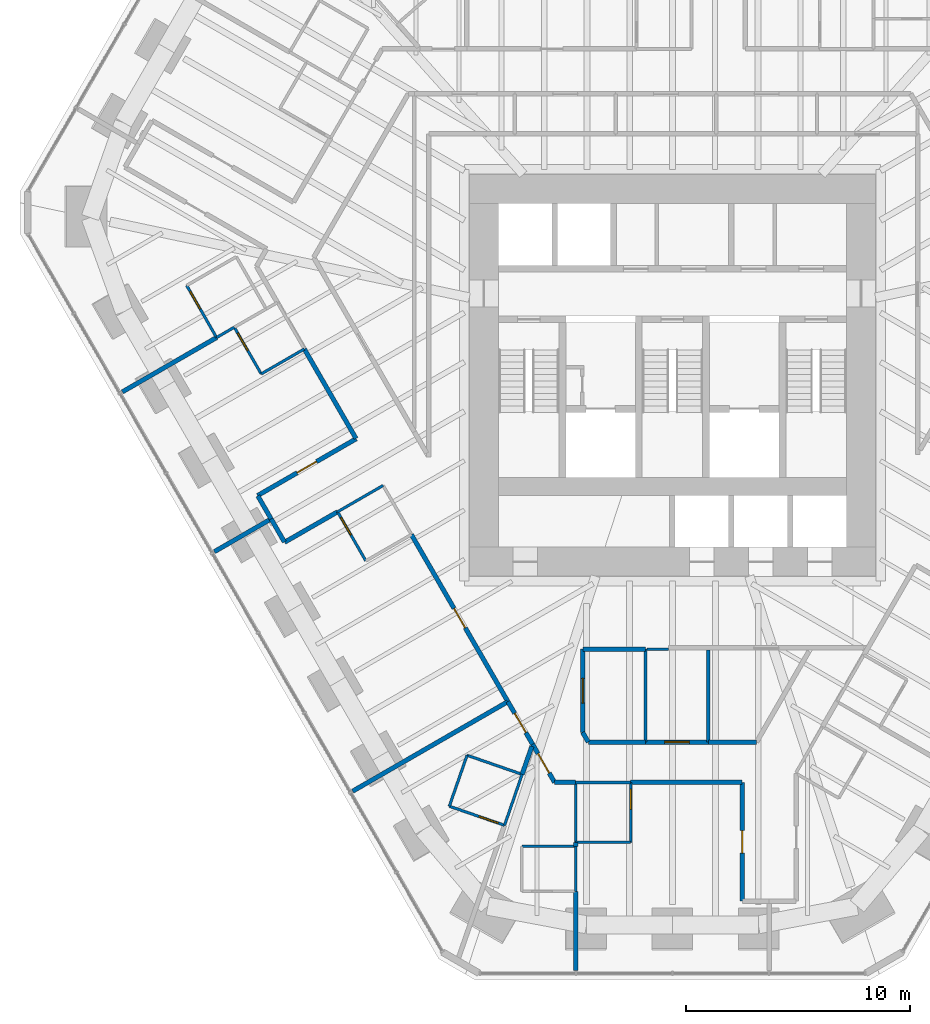
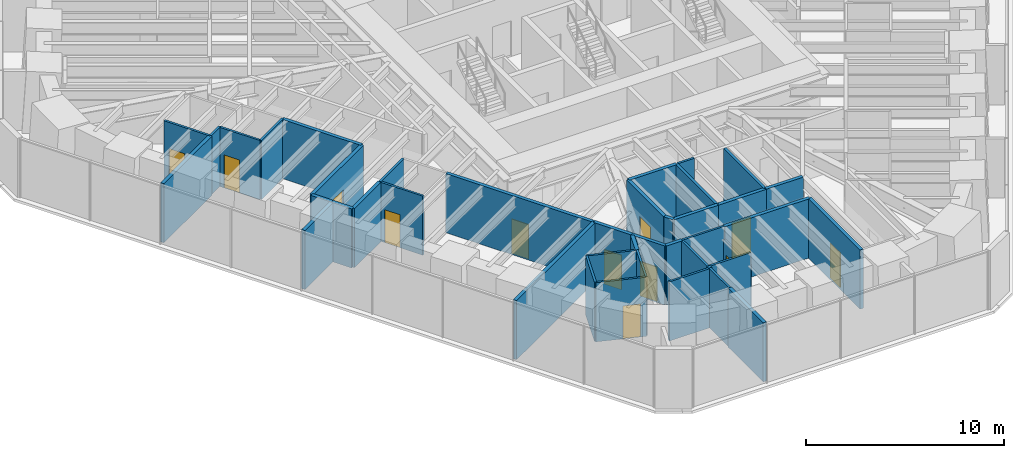
# One storey, part 11 of 17: 42 walls, 12 doors, 12 openings.
"""IFC4 building model written with IfcOpenShell, lengths in metres."""

from ifc_helpers import new_model, si_unit, direction, frame, frame_2d, origin, place, context, subcontext, project, spatial, rectangle, extrude, material, layer, layer_set, type_object, element, fill, save


model = new_model("IFC4")

# Units and contexts
model_context = context("Model", 3, precision=1e-05, world=origin(), true_north=direction((0.0, 1.0)))
body_context = subcontext(model_context, "Body", "Model", "MODEL_VIEW")
ifc_project = project(units=[si_unit("LENGTHUNIT", "METRE"), si_unit("AREAUNIT", "SQUARE_METRE"), si_unit("VOLUMEUNIT", "CUBIC_METRE"), si_unit("PLANEANGLEUNIT", "RADIAN"), si_unit("MASSUNIT", "GRAM", prefix="KILO")], contexts=[model_context])

# Site, building, storey
site_placement = place(None, origin())
site = spatial("IfcSite", under=ifc_project, at=site_placement, CompositionType="ELEMENT")
building_placement = place(site_placement, origin())
building = spatial("IfcBuilding", under=site, at=building_placement, Name="Sandreach Pilgrim Tower", CompositionType="ELEMENT")
storey_placement = place(building_placement, frame((0.0, 0.0, 161.39990234375)))
storey = spatial("IfcBuildingStorey", under=building, at=storey_placement, Name="L40", CompositionType="ELEMENT", Elevation=161.39990234375)

# Walls
ifc_material_1 = material(Name="Gypsum board on steel studs", Category="steel")
ifc_layer_1 = layer(ifc_material_1, 0.14990234375)
ifc_layer_set_1 = layer_set([ifc_layer_1], Name="Back of house wall 150")
wall_type_1 = type_object("IfcWallType", Name="Back of house wall 150", PredefinedType="PARTITIONING", material=ifc_layer_set_1)
wall_1_placement = place(storey_placement, frame((-1.199951171875, -13.75, 0.0), z_axis=(0.0, 0.0, 1.0), x_axis=(0.0, -1.0, 0.0)))
element("IfcWall", 1, at=wall_1_placement, inside=storey, type_object=wall_type_1, Name="Back of house wall L40-090", PredefinedType="PARTITIONING", context=body_context, shape_type="SweptSolid", body=[
    extrude(rectangle(XDim=4.139892578125, YDim=0.14990234375, at=frame_2d((2.06982421875, 0.0))), origin(), (0.0, 0.0, 1.0), 3.64013671875),
])
wall_2_placement = place(storey_placement, frame((1.60009765625, -13.800048828125, 0.0), z_axis=(0.0, 0.0, 1.0), x_axis=(0.0, -1.0, 0.0)))
element("IfcWall", 2, at=wall_2_placement, inside=storey, type_object=wall_type_1, Name="Back of house wall L40-097", PredefinedType="PARTITIONING", context=body_context, shape_type="SweptSolid", body=[
    extrude(rectangle(XDim=4.08984375, YDim=0.14990234375, at=frame_2d((2.044921875, 0.0))), origin(), (0.0, 0.0, 1.0), 3.64013671875),
])

# Wall, opening, door
ifc_material_2 = material(Name="Moisture-resistant gypsum board on steel studs", Category="steel")
ifc_layer_2 = layer(ifc_material_2, 0.1201171875)
ifc_layer_set_2 = layer_set([ifc_layer_2], Name="Bathroom partition 120")
wall_type_2 = type_object("IfcWallType", Name="Bathroom partition 120", PredefinedType="PARTITIONING", material=ifc_layer_set_2)
wall_3_placement = place(storey_placement, frame((-21.639892578125, 2.449951171875, 0.0), z_axis=(0.0, 0.0, 1.0), x_axis=(0.497288831399, -0.867585049529, 0.0)))
wall_3 = element("IfcWall", 3, at=wall_3_placement, inside=storey, type_object=wall_type_2, Name="Bathroom partition L40-007", PredefinedType="PARTITIONING", context=body_context, shape_type="SweptSolid", body=[
    extrude(rectangle(XDim=2.674072265625, YDim=0.1201171875, at=frame_2d((1.3369140625, 0.0))), origin(), (0.0, 0.0, 1.0), 3.64013671875),
])
opening_1_placement = place(wall_3_placement, frame((0.300048828125, 0.0, 0.0)))
opening_1 = element("IfcOpeningElement", 4, at=opening_1_placement, cuts=wall_3, Name="Opening D09-16B", PredefinedType="OPENING", context=body_context, shape_type="SweptSolid", body=[
    extrude(rectangle(XDim=0.89990234375, YDim=2.030029296875, at=frame_2d((0.449951171875, 1.01513671875))), frame((0.0, 0.06005859375, 0.0), z_axis=(0.0, -1.0, 0.0), x_axis=(1.0, 0.0, 0.0)), (0.0, 0.0, 1.0), 0.1201171875),
])
ifc_material_3 = material(Name="Timber door, steel frame", Category="steel")
door_type_1 = type_object("IfcDoorType", Name="Bathroom door", OperationType="SINGLE_SWING_LEFT", PredefinedType="DOOR", material=ifc_material_3)
door_1_placement = place(opening_1_placement, origin())
door_1 = element("IfcDoor", 5, at=door_1_placement, inside=storey, type_object=door_type_1, Name="Door 4016B", OperationType="SINGLE_SWING_LEFT", OverallHeight=2.030029296875, OverallWidth=0.89990234375, PredefinedType="DOOR", context=body_context, shape_type="SweptSolid", body=[
    extrude(rectangle(XDim=0.89990234375, YDim=2.030029296875, at=frame_2d((0.449951171875, 1.01513671875))), frame((0.0, 0.02490234375, 0.0), z_axis=(0.0, -1.0, 0.0), x_axis=(1.0, 0.0, 0.0)), (0.0, 0.0, 1.0), 0.050048828125),
])
fill(opening_1, door_1)

# Wall
wall_4_placement = place(storey_placement, frame((-20.31005859375, 0.1298828125, 0.0), z_axis=(0.0, 0.0, 1.0), x_axis=(0.864088651014, 0.503339649926, 0.0)))
element("IfcWall", 6, at=wall_4_placement, inside=storey, type_object=wall_type_2, Name="Bathroom partition L40-009", PredefinedType="PARTITIONING", context=body_context, shape_type="SweptSolid", body=[
    extrude(rectangle(XDim=0.914306640625, YDim=0.1201171875, at=frame_2d((0.45703125, 0.0))), origin(), (0.0, 0.0, 1.0), 3.64013671875),
])

# Wall, opening, door
wall_5_placement = place(storey_placement, frame((-19.52001953125, 0.590087890625, 0.0), z_axis=(0.0, 0.0, 1.0), x_axis=(0.499693115345, -0.866202511239, 0.0)))
wall_5 = element("IfcWall", 7, at=wall_5_placement, inside=storey, type_object=wall_type_2, Name="Bathroom partition L40-010", PredefinedType="PARTITIONING", context=body_context, shape_type="SweptSolid", body=[
    extrude(rectangle(XDim=2.4013671875, YDim=0.1201171875, at=frame_2d((1.20068359375, 0.0))), origin(), (0.0, 0.0, 1.0), 3.64013671875),
])
opening_2_placement = place(wall_5_placement, frame((0.300048828125, 0.0, 0.0)))
opening_2 = element("IfcOpeningElement", 8, at=opening_2_placement, cuts=wall_5, Name="Opening D09-15B", PredefinedType="OPENING", context=body_context, shape_type="SweptSolid", body=[
    extrude(rectangle(XDim=0.89990234375, YDim=2.030029296875, at=frame_2d((0.449951171875, 1.01513671875))), frame((0.0, 0.06005859375, 0.0), z_axis=(0.0, -1.0, 0.0), x_axis=(1.0, 0.0, 0.0)), (0.0, 0.0, 1.0), 0.1201171875),
])
door_2_placement = place(opening_2_placement, origin())
door_2 = element("IfcDoor", 9, at=door_2_placement, inside=storey, type_object=door_type_1, Name="Door 4015B", OperationType="SINGLE_SWING_LEFT", OverallHeight=2.030029296875, OverallWidth=0.89990234375, PredefinedType="DOOR", context=body_context, shape_type="SweptSolid", body=[
    extrude(rectangle(XDim=0.89990234375, YDim=2.030029296875, at=frame_2d((0.449951171875, 1.01513671875))), frame((0.0, 0.02490234375, 0.0), z_axis=(0.0, -1.0, 0.0), x_axis=(1.0, 0.0, 0.0)), (0.0, 0.0, 1.0), 0.050048828125),
])
fill(opening_2, door_2)

# Wall
wall_6_placement = place(storey_placement, frame((-18.320068359375, -1.489990234375, 0.0), z_axis=(0.0, 0.0, 1.0), x_axis=(0.865732595383, 0.500506816428, 0.0)))
element("IfcWall", 10, at=wall_6_placement, inside=storey, type_object=wall_type_2, Name="Bathroom partition L40-016", PredefinedType="PARTITIONING", context=body_context, shape_type="SweptSolid", body=[
    extrude(rectangle(XDim=2.218017578125, YDim=0.1201171875, at=frame_2d((1.10888671875, 0.0))), origin(), (0.0, 0.0, 1.0), 3.64013671875),
])

# Wall, opening, door
wall_7_placement = place(storey_placement, frame((-14.919921875, -7.6298828125, 0.0), z_axis=(0.0, 0.0, 1.0), x_axis=(0.498665353881, -0.866794592068, 0.0)))
wall_7 = element("IfcWall", 11, at=wall_7_placement, inside=storey, type_object=wall_type_2, Name="Bathroom partition L40-033", PredefinedType="PARTITIONING", context=body_context, shape_type="SweptSolid", body=[
    extrude(rectangle(XDim=2.52685546875, YDim=0.1201171875, at=frame_2d((1.263427734375, 0.0))), origin(), (0.0, 0.0, 1.0), 3.64013671875),
])
opening_3_placement = place(wall_7_placement, frame((0.300048828125, 0.0, 0.0)))
opening_3 = element("IfcOpeningElement", 12, at=opening_3_placement, cuts=wall_7, Name="Opening D09-14B", PredefinedType="OPENING", context=body_context, shape_type="SweptSolid", body=[
    extrude(rectangle(XDim=0.89990234375, YDim=2.030029296875, at=frame_2d((0.449951171875, 1.01513671875))), frame((0.0, 0.06005859375, 0.0), z_axis=(0.0, -1.0, 0.0), x_axis=(1.0, 0.0, 0.0)), (0.0, 0.0, 1.0), 0.1201171875),
])
door_3_placement = place(opening_3_placement, origin())
door_3 = element("IfcDoor", 13, at=door_3_placement, inside=storey, type_object=door_type_1, Name="Door 4014B", OperationType="SINGLE_SWING_LEFT", OverallHeight=2.030029296875, OverallWidth=0.89990234375, PredefinedType="DOOR", context=body_context, shape_type="SweptSolid", body=[
    extrude(rectangle(XDim=0.89990234375, YDim=2.030029296875, at=frame_2d((0.449951171875, 1.01513671875))), frame((0.0, 0.02490234375, 0.0), z_axis=(0.0, -1.0, 0.0), x_axis=(1.0, 0.0, 0.0)), (0.0, 0.0, 1.0), 0.050048828125),
])
fill(opening_3, door_3)

# Wall
wall_8_placement = place(storey_placement, frame((-12.889892578125, -6.4599609375, 0.0), z_axis=(0.0, 0.0, 1.0), x_axis=(-0.8656366223, -0.500672785493, 0.0)))
element("IfcWall", 14, at=wall_8_placement, inside=storey, type_object=wall_type_2, Name="Bathroom partition L40-042", PredefinedType="PARTITIONING", context=body_context, shape_type="SweptSolid", body=[
    extrude(rectangle(XDim=2.356689453125, YDim=0.1201171875, at=frame_2d((1.17822265625, 0.0))), origin(), (0.0, 0.0, 1.0), 3.64013671875),
])

# Wall, opening, door
wall_9_placement = place(storey_placement, frame((-9.93994140625, -20.75, 0.0), z_axis=(0.0, 0.0, 1.0), x_axis=(0.94515546045, -0.326620813149, 0.0)))
wall_9 = element("IfcWall", 15, at=wall_9_placement, inside=storey, type_object=wall_type_2, Name="Bathroom partition L40-056", PredefinedType="PARTITIONING", context=body_context, shape_type="SweptSolid", body=[
    extrude(rectangle(XDim=2.602783203125, YDim=0.1201171875, at=frame_2d((1.30126953125, 0.0))), origin(), (0.0, 0.0, 1.0), 3.64013671875),
])
opening_4_placement = place(wall_9_placement, frame((1.402587890625, 0.0, 0.0)))
opening_4 = element("IfcOpeningElement", 16, at=opening_4_placement, cuts=wall_9, Name="Opening D09-13B", PredefinedType="OPENING", context=body_context, shape_type="SweptSolid", body=[
    extrude(rectangle(XDim=0.89990234375, YDim=2.030029296875, at=frame_2d((0.449951171875, 1.01513671875))), frame((0.0, 0.06005859375, 0.0), z_axis=(0.0, -1.0, 0.0), x_axis=(1.0, 0.0, 0.0)), (0.0, 0.0, 1.0), 0.1201171875),
])
door_4_placement = place(opening_4_placement, origin())
door_4 = element("IfcDoor", 17, at=door_4_placement, inside=storey, type_object=door_type_1, Name="Door 4013B", OperationType="SINGLE_SWING_RIGHT", OverallHeight=2.030029296875, OverallWidth=0.89990234375, PredefinedType="DOOR", context=body_context, shape_type="SweptSolid", body=[
    extrude(rectangle(XDim=0.89990234375, YDim=2.030029296875, at=frame_2d((0.449951171875, 1.01513671875))), frame((0.0, 0.02490234375, 0.0), z_axis=(0.0, -1.0, 0.0), x_axis=(1.0, 0.0, 0.0)), (0.0, 0.0, 1.0), 0.050048828125),
])
fill(opening_4, door_4)

# Walls
wall_10_placement = place(storey_placement, frame((-9.14990234375, -18.47998046875, 0.0), z_axis=(0.0, 0.0, 1.0), x_axis=(-0.328693963496, -0.944436487203, 0.0)))
element("IfcWall", 18, at=wall_10_placement, inside=storey, type_object=wall_type_2, Name="Bathroom partition L40-060", PredefinedType="PARTITIONING", context=body_context, shape_type="SweptSolid", body=[
    extrude(rectangle(XDim=2.403564453125, YDim=0.1201171875, at=frame_2d((1.20166015625, 0.0))), origin(), (0.0, 0.0, 1.0), 3.64013671875),
])
wall_11_placement = place(storey_placement, frame((-7.47998046875, -21.60009765625, 0.0), z_axis=(0.0, 0.0, 1.0), x_axis=(0.326492166492, 0.945199907543, 0.0)))
element("IfcWall", 19, at=wall_11_placement, inside=storey, type_object=wall_type_2, Name="Bathroom partition L40-061", PredefinedType="PARTITIONING", context=body_context, shape_type="SweptSolid", body=[
    extrude(rectangle(XDim=2.400390625, YDim=0.1201171875, at=frame_2d((1.2001953125, 0.0))), origin(), (0.0, 0.0, 1.0), 3.64013671875),
])
wall_12_placement = place(storey_placement, frame((-6.699951171875, -19.330078125, 0.0), z_axis=(0.0, 0.0, 1.0), x_axis=(-0.944753042377, 0.327782990589, 0.0)))
element("IfcWall", 20, at=wall_12_placement, inside=storey, type_object=wall_type_2, Name="Bathroom partition L40-068", PredefinedType="PARTITIONING", context=body_context, shape_type="SweptSolid", body=[
    extrude(rectangle(XDim=2.593505859375, YDim=0.1201171875, at=frame_2d((1.296875, 0.0))), origin(), (0.0, 0.0, 1.0), 3.64013671875),
])
wall_13_placement = place(storey_placement, frame((-4.31005859375, -24.5400390625, 0.0), z_axis=(0.0, 0.0, 1.0), x_axis=(0.0, 1.0, 0.0)))
element("IfcWall", 21, at=wall_13_placement, inside=storey, type_object=wall_type_2, Name="Bathroom partition L40-073", PredefinedType="PARTITIONING", context=body_context, shape_type="SweptSolid", body=[
    extrude(rectangle(XDim=2.0, YDim=0.1201171875, at=frame_2d((1.0, 0.0))), origin(), (0.0, 0.0, 1.0), 3.64013671875),
])
wall_14_placement = place(storey_placement, frame((-4.31005859375, -22.5400390625, 0.0), z_axis=(0.0, 0.0, 1.0), x_axis=(-1.0, 0.0, 0.0)))
element("IfcWall", 22, at=wall_14_placement, inside=storey, type_object=wall_type_2, Name="Bathroom partition L40-074", PredefinedType="PARTITIONING", context=body_context, shape_type="SweptSolid", body=[
    extrude(rectangle(XDim=2.39990234375, YDim=0.1201171875, at=frame_2d((1.199951171875, 0.0))), origin(), (0.0, 0.0, 1.0), 3.64013671875),
])
wall_15_placement = place(storey_placement, frame((-4.31005859375, -22.360107421875, 0.0), z_axis=(0.0, 0.0, 1.0), x_axis=(0.0, 1.0, 0.0)))
element("IfcWall", 23, at=wall_15_placement, inside=storey, type_object=wall_type_2, Name="Bathroom partition L40-076", PredefinedType="PARTITIONING", context=body_context, shape_type="SweptSolid", body=[
    extrude(rectangle(XDim=2.670166015625, YDim=0.1201171875, at=frame_2d((1.3349609375, 0.0))), origin(), (0.0, 0.0, 1.0), 3.64013671875),
])
for number, where, z_axis, x_axis, name in (
    (24, (-4.31005859375, -22.360107421875, 0.0), (0.0, 0.0, 1.0), (1.0, 0.0, 0.0), "Bathroom partition L40-077"),
    (25, (-4.31005859375, -19.68994140625, 0.0), (0.0, 0.0, 1.0), (1.0, 0.0, 0.0), "Bathroom partition L40-078"),
):
    element("IfcWall", number, at=place(storey_placement, frame(where, z_axis=z_axis, x_axis=x_axis)), inside=storey, type_object=wall_type_2, Name=name, PredefinedType="PARTITIONING", context=body_context, shape_type="SweptSolid", body=[
        extrude(rectangle(XDim=2.449951171875, YDim=0.1201171875, at=frame_2d((1.22509765625, 0.0))), origin(), (0.0, 0.0, 1.0), 3.64013671875),
    ])

# Wall, opening, door
wall_16_placement = place(storey_placement, frame((-1.860107421875, -22.360107421875, 0.0), z_axis=(0.0, 0.0, 1.0), x_axis=(0.0, 1.0, 0.0)))
wall_16 = element("IfcWall", 26, at=wall_16_placement, inside=storey, type_object=wall_type_2, Name="Bathroom partition L40-085", PredefinedType="PARTITIONING", context=body_context, shape_type="SweptSolid", body=[
    extrude(rectangle(XDim=2.670166015625, YDim=0.1201171875, at=frame_2d((1.3349609375, 0.0))), origin(), (0.0, 0.0, 1.0), 2.8603515625),
])
opening_5_placement = place(wall_16_placement, frame((1.469970703125, 0.0, 0.0)))
opening_5 = element("IfcOpeningElement", 27, at=opening_5_placement, cuts=wall_16, Name="Opening D09-11B", PredefinedType="OPENING", context=body_context, shape_type="SweptSolid", body=[
    extrude(rectangle(XDim=0.89990234375, YDim=2.030029296875, at=frame_2d((0.449951171875, 1.01513671875))), frame((0.0, 0.06005859375, 0.0), z_axis=(0.0, -1.0, 0.0), x_axis=(1.0, 0.0, 0.0)), (0.0, 0.0, 1.0), 0.1201171875),
])
door_5_placement = place(opening_5_placement, origin())
door_5 = element("IfcDoor", 28, at=door_5_placement, inside=storey, type_object=door_type_1, Name="Door 4011B", OperationType="SINGLE_SWING_RIGHT", OverallHeight=2.030029296875, OverallWidth=0.89990234375, PredefinedType="DOOR", context=body_context, shape_type="SweptSolid", body=[
    extrude(rectangle(XDim=0.89990234375, YDim=2.030029296875, at=frame_2d((0.449951171875, 1.01513671875))), frame((0.0, 0.02490234375, 0.0), z_axis=(0.0, -1.0, 0.0), x_axis=(1.0, 0.0, 0.0)), (0.0, 0.0, 1.0), 0.050048828125),
])
fill(opening_5, door_5)

# Walls
wall_17_placement = place(storey_placement, frame((-1.125, -13.75, 0.0), z_axis=(0.0, 0.0, 1.0), x_axis=(1.0, 0.0, 0.0)))
element("IfcWall", 29, at=wall_17_placement, inside=storey, type_object=wall_type_2, Name="Bathroom partition L40-091", PredefinedType="PARTITIONING", context=body_context, shape_type="SweptSolid", body=[
    extrude(rectangle(XDim=0.955078125, YDim=0.1201171875, at=frame_2d((0.4775390625, 0.0))), origin(), (0.0, 0.0, 1.0), 3.64013671875),
])
ifc_material_4 = material(Name="Gypsum board on steel studs, two layers each side", Category="steel")
ifc_layer_3 = layer(ifc_material_4, 0.199951171875)
ifc_layer_set_3 = layer_set([ifc_layer_3], Name="Corridor wall 200")
wall_type_3 = type_object("IfcWallType", Name="Corridor wall 200", PredefinedType="PARTITIONING", material=ifc_layer_set_3)
for number, where, z_axis, x_axis, name in (
    (30, (-18.472412109375, -6.923095703125, 0.0), (0.0, 0.0, 1.0), (0.499793761865, -0.866144442689, 0.0), "Corridor wall L40-015"),
    (31, (-17.8798828125, -7.949951171875, 0.0), (0.0, 0.0, 1.0), (0.499550123941, -0.866284984096, 0.0), "Corridor wall L40-020"),
):
    element("IfcWall", number, at=place(storey_placement, frame(where, z_axis=z_axis, x_axis=x_axis)), inside=storey, type_object=wall_type_3, Name=name, PredefinedType="PARTITIONING", context=body_context, shape_type="SweptSolid", body=[
        extrude(rectangle(XDim=1.185546875, YDim=0.199951171875, at=frame_2d((0.5927734375, 0.0))), origin(), (0.0, 0.0, 1.0), 3.64013671875),
    ])
wall_18_placement = place(storey_placement, frame((-17.280029296875, -8.989990234375, 0.0), z_axis=(0.0, 0.0, 1.0), x_axis=(0.867137826992, 0.49806825737, 0.0)))
element("IfcWall", 32, at=wall_18_placement, inside=storey, type_object=wall_type_3, Name="Corridor wall L40-023", PredefinedType="PARTITIONING", context=body_context, shape_type="SweptSolid", body=[
    extrude(rectangle(XDim=2.710205078125, YDim=0.199951171875, at=frame_2d((1.35498046875, 0.0))), origin(), (0.0, 0.0, 1.0), 3.64013671875),
])
wall_19_placement = place(storey_placement, frame((-16.39990234375, -0.3798828125, 0.0), z_axis=(0.0, 0.0, 1.0), x_axis=(0.500091179446, -0.865972754907, 0.0)))
element("IfcWall", 33, at=wall_19_placement, inside=storey, type_object=wall_type_3, Name="Corridor wall L40-027", PredefinedType="PARTITIONING", context=body_context, shape_type="SweptSolid", body=[
    extrude(rectangle(XDim=4.604248046875, YDim=0.199951171875, at=frame_2d((2.30224609375, 0.0))), origin(), (0.0, 0.0, 1.0), 3.64013671875),
])

# Wall, opening, door
wall_20_placement = place(storey_placement, frame((-14.090087890625, -4.3798828125, 0.0), z_axis=(0.0, 0.0, 1.0), x_axis=(-0.866407705865, -0.499337247977, 0.0)))
wall_20 = element("IfcWall", 34, at=wall_20_placement, inside=storey, type_object=wall_type_3, Name="Corridor wall L40-037", PredefinedType="PARTITIONING", context=body_context, shape_type="SweptSolid", body=[
    extrude(rectangle(XDim=5.06689453125, YDim=0.199951171875, at=frame_2d((2.533447265625, 0.0))), origin(), (0.0, 0.0, 1.0), 3.64013671875),
])
opening_6_placement = place(wall_20_placement, frame((2.033447265625, 0.0, 0.0)))
opening_6 = element("IfcOpeningElement", 35, at=opening_6_placement, cuts=wall_20, Name="Opening D10-15", PredefinedType="OPENING", context=body_context, shape_type="SweptSolid", body=[
    extrude(rectangle(XDim=1.0, YDim=2.1298828125, at=frame_2d((0.5, 1.06494140625))), frame((0.0, 0.10009765625, 0.0), z_axis=(0.0, -1.0, 0.0), x_axis=(1.0, 0.0, 0.0)), (0.0, 0.0, 1.0), 0.199951171875),
])
ifc_material_5 = material(Name="Steel door and frame", Category="steel")
door_type_2 = type_object("IfcDoorType", Name="Guest room entry door", OperationType="SINGLE_SWING_LEFT", PredefinedType="DOOR", material=ifc_material_5)
door_6_placement = place(opening_6_placement, origin())
door_6 = element("IfcDoor", 36, at=door_6_placement, inside=storey, type_object=door_type_2, Name="Door 4015", OperationType="SINGLE_SWING_LEFT", OverallHeight=2.1298828125, OverallWidth=1.0, PredefinedType="DOOR", context=body_context, shape_type="SweptSolid", body=[
    extrude(rectangle(XDim=1.0, YDim=2.1298828125, at=frame_2d((0.5, 1.06494140625))), frame((0.0, 0.02490234375, 0.0), z_axis=(0.0, -1.0, 0.0), x_axis=(1.0, 0.0, 0.0)), (0.0, 0.0, 1.0), 0.050048828125),
])
fill(opening_6, door_6)

wall_21_placement = place(storey_placement, frame((-11.6298828125, -8.64990234375, 0.0), z_axis=(0.0, 0.0, 1.0), x_axis=(0.500367528775, -0.865813106939, 0.0)))
wall_21 = element("IfcWall", 37, at=wall_21_placement, inside=storey, type_object=wall_type_3, Name="Corridor wall L40-048", PredefinedType="PARTITIONING", context=body_context, shape_type="SweptSolid", body=[
    extrude(rectangle(XDim=8.59326171875, YDim=0.199951171875, at=frame_2d((4.296630859375, 0.0))), origin(), (0.0, 0.0, 1.0), 3.64013671875),
])
opening_7_placement = place(wall_21_placement, frame((3.796630859375, 0.0, 0.0)))
opening_7 = element("IfcOpeningElement", 38, at=opening_7_placement, cuts=wall_21, Name="Opening D10-14", PredefinedType="OPENING", context=body_context, shape_type="SweptSolid", body=[
    extrude(rectangle(XDim=1.0, YDim=2.1298828125, at=frame_2d((0.5, 1.06494140625))), frame((0.0, 0.10009765625, 0.0), z_axis=(0.0, -1.0, 0.0), x_axis=(1.0, 0.0, 0.0)), (0.0, 0.0, 1.0), 0.199951171875),
])
door_7_placement = place(opening_7_placement, origin())
door_7 = element("IfcDoor", 39, at=door_7_placement, inside=storey, type_object=door_type_2, Name="Door 4014", OperationType="SINGLE_SWING_LEFT", OverallHeight=2.1298828125, OverallWidth=1.0, PredefinedType="DOOR", context=body_context, shape_type="SweptSolid", body=[
    extrude(rectangle(XDim=1.0, YDim=2.1298828125, at=frame_2d((0.5, 1.06494140625))), frame((0.0, 0.02490234375, 0.0), z_axis=(0.0, -1.0, 0.0), x_axis=(1.0, 0.0, 0.0)), (0.0, 0.0, 1.0), 0.050048828125),
])
fill(opening_7, door_7)

wall_22_placement = place(storey_placement, frame((-7.330078125, -16.090087890625, 0.0), z_axis=(0.0, 0.0, 1.0), x_axis=(0.501088872721, -0.865395829453, 0.0)))
wall_22 = element("IfcWall", 40, at=wall_22_placement, inside=storey, type_object=wall_type_3, Name="Corridor wall L40-062", PredefinedType="PARTITIONING", context=body_context, shape_type="SweptSolid", body=[
    extrude(rectangle(XDim=2.1953125, YDim=0.199951171875, at=frame_2d((1.09765625, 0.0))), origin(), (0.0, 0.0, 1.0), 3.64013671875),
])
opening_8_placement = place(wall_22_placement, frame((0.59765625, 0.0, 0.0)))
opening_8 = element("IfcOpeningElement", 41, at=opening_8_placement, cuts=wall_22, Name="Opening D10-13", PredefinedType="OPENING", context=body_context, shape_type="SweptSolid", body=[
    extrude(rectangle(XDim=1.0, YDim=2.1298828125, at=frame_2d((0.5, 1.06494140625))), frame((0.0, 0.10009765625, 0.0), z_axis=(0.0, -1.0, 0.0), x_axis=(1.0, 0.0, 0.0)), (0.0, 0.0, 1.0), 0.199951171875),
])
door_8_placement = place(opening_8_placement, origin())
door_8 = element("IfcDoor", 42, at=door_8_placement, inside=storey, type_object=door_type_2, Name="Door 4013", OperationType="SINGLE_SWING_LEFT", OverallHeight=2.1298828125, OverallWidth=1.0, PredefinedType="DOOR", context=body_context, shape_type="SweptSolid", body=[
    extrude(rectangle(XDim=1.0, YDim=2.1298828125, at=frame_2d((0.5, 1.06494140625))), frame((0.0, 0.02490234375, 0.0), z_axis=(0.0, -1.0, 0.0), x_axis=(1.0, 0.0, 0.0)), (0.0, 0.0, 1.0), 0.050048828125),
])
fill(opening_8, door_8)

wall_23_placement = place(storey_placement, frame((-6.22998046875, -17.989990234375, 0.0), z_axis=(0.0, 0.0, 1.0), x_axis=(0.499431599995, -0.866353321068, 0.0)))
wall_23 = element("IfcWall", 43, at=wall_23_placement, inside=storey, type_object=wall_type_3, Name="Corridor wall L40-070", PredefinedType="PARTITIONING", context=body_context, shape_type="SweptSolid", body=[
    extrude(rectangle(XDim=1.962158203125, YDim=0.199951171875, at=frame_2d((0.98095703125, 0.0))), origin(), (0.0, 0.0, 1.0), 3.64013671875),
])
opening_9_placement = place(wall_23_placement, frame((0.481201171875, 0.0, 0.0)))
opening_9 = element("IfcOpeningElement", 44, at=opening_9_placement, cuts=wall_23, Name="Opening D10-12", PredefinedType="OPENING", context=body_context, shape_type="SweptSolid", body=[
    extrude(rectangle(XDim=1.0, YDim=2.1298828125, at=frame_2d((0.5, 1.06494140625))), frame((0.0, 0.10009765625, 0.0), z_axis=(0.0, -1.0, 0.0), x_axis=(1.0, 0.0, 0.0)), (0.0, 0.0, 1.0), 0.199951171875),
])
door_9_placement = place(opening_9_placement, origin())
door_9 = element("IfcDoor", 45, at=door_9_placement, inside=storey, type_object=door_type_2, Name="Door 4012", OperationType="SINGLE_SWING_LEFT", OverallHeight=2.1298828125, OverallWidth=1.0, PredefinedType="DOOR", context=body_context, shape_type="SweptSolid", body=[
    extrude(rectangle(XDim=1.0, YDim=2.1298828125, at=frame_2d((0.5, 1.06494140625))), frame((0.0, 0.02490234375, 0.0), z_axis=(0.0, -1.0, 0.0), x_axis=(1.0, 0.0, 0.0)), (0.0, 0.0, 1.0), 0.050048828125),
])
fill(opening_9, door_9)

# Wall
wall_24_placement = place(storey_placement, frame((-5.25, -19.68994140625, 0.0), z_axis=(0.0, 0.0, 1.0), x_axis=(1.0, 0.0, 0.0)))
element("IfcWall", 46, at=wall_24_placement, inside=storey, type_object=wall_type_3, Name="Corridor wall L40-071", PredefinedType="PARTITIONING", context=body_context, shape_type="SweptSolid", body=[
    extrude(rectangle(XDim=0.93994140625, YDim=0.199951171875, at=frame_2d((0.469970703125, 0.0))), origin(), (0.0, 0.0, 1.0), 3.64013671875),
])

# Wall, opening, door
wall_25_placement = place(storey_placement, frame((-4.0, -17.4599609375, 0.0), z_axis=(0.0, 0.0, 1.0), x_axis=(0.0, 1.0, 0.0)))
wall_25 = element("IfcWall", 47, at=wall_25_placement, inside=storey, type_object=wall_type_3, Name="Corridor wall L40-079", PredefinedType="PARTITIONING", context=body_context, shape_type="SweptSolid", body=[
    extrude(rectangle(XDim=3.7099609375, YDim=0.199951171875, at=frame_2d((1.85498046875, 0.0))), origin(), (0.0, 0.0, 1.0), 3.64013671875),
])
opening_10_placement = place(wall_25_placement, frame((1.304931640625, 0.0, 0.0)))
opening_10 = element("IfcOpeningElement", 48, at=opening_10_placement, cuts=wall_25, Name="Opening D11H-S2", PredefinedType="OPENING", context=body_context, shape_type="SweptSolid", body=[
    extrude(rectangle(XDim=1.10009765625, YDim=2.199951171875, at=frame_2d((0.550048828125, 1.10009765625))), frame((0.0, 0.10009765625, 0.0), z_axis=(0.0, -1.0, 0.0), x_axis=(1.0, 0.0, 0.0)), (0.0, 0.0, 1.0), 0.199951171875),
])
ifc_material_6 = material(Name="Steel door and frame", Category="steel")
door_type_3 = type_object("IfcDoorType", Name="Back of house door", OperationType="SINGLE_SWING_LEFT", PredefinedType="DOOR", material=ifc_material_6)
door_10_placement = place(opening_10_placement, origin())
door_10 = element("IfcDoor", 49, at=door_10_placement, inside=storey, type_object=door_type_3, Name="Door 40S2", OperationType="SINGLE_SWING_LEFT", OverallHeight=2.199951171875, OverallWidth=1.10009765625, PredefinedType="DOOR", context=body_context, shape_type="SweptSolid", body=[
    extrude(rectangle(XDim=1.10009765625, YDim=2.199951171875, at=frame_2d((0.550048828125, 1.10009765625))), frame((0.0, 0.02490234375, 0.0), z_axis=(0.0, -1.0, 0.0), x_axis=(1.0, 0.0, 0.0)), (0.0, 0.0, 1.0), 0.050048828125),
])
fill(opening_10, door_10)

# Walls
wall_26_placement = place(storey_placement, frame((-3.989990234375, -13.75, 0.0), z_axis=(0.0, 0.0, 1.0), x_axis=(1.0, 0.0, 0.0)))
element("IfcWall", 50, at=wall_26_placement, inside=storey, type_object=wall_type_3, Name="Corridor wall L40-080", PredefinedType="PARTITIONING", context=body_context, shape_type="SweptSolid", body=[
    extrude(rectangle(XDim=2.7900390625, YDim=0.199951171875, at=frame_2d((1.39501953125, 0.0))), origin(), (0.0, 0.0, 1.0), 3.64013671875),
])
wall_27_placement = place(storey_placement, frame((-3.75, -17.889892578125, 0.0), z_axis=(0.0, 0.0, 1.0), x_axis=(-0.502680181512, 0.864472460588, 0.0)))
element("IfcWall", 51, at=wall_27_placement, inside=storey, type_object=wall_type_3, Name="Corridor wall L40-081", PredefinedType="PARTITIONING", context=body_context, shape_type="SweptSolid", body=[
    extrude(rectangle(XDim=0.497314453125, YDim=0.199951171875, at=frame_2d((0.24853515625, 0.0))), origin(), (0.0, 0.0, 1.0), 3.64013671875),
])
wall_28_placement = place(storey_placement, frame((-1.860107421875, -19.68994140625, 0.0), z_axis=(0.0, 0.0, 1.0), x_axis=(1.0, 0.0, 0.0)))
element("IfcWall", 52, at=wall_28_placement, inside=storey, type_object=wall_type_3, Name="Corridor wall L40-086", PredefinedType="PARTITIONING", context=body_context, shape_type="SweptSolid", body=[
    extrude(rectangle(XDim=4.960205078125, YDim=0.199951171875, at=frame_2d((2.47998046875, 0.0))), origin(), (0.0, 0.0, 1.0), 3.64013671875),
])
wall_29_placement = place(storey_placement, frame((-1.199951171875, -17.889892578125, 0.0), z_axis=(0.0, 0.0, 1.0), x_axis=(-1.0, 0.0, 0.0)))
element("IfcWall", 53, at=wall_29_placement, inside=storey, type_object=wall_type_3, Name="Corridor wall L40-089", PredefinedType="PARTITIONING", context=body_context, shape_type="SweptSolid", body=[
    extrude(rectangle(XDim=2.550048828125, YDim=0.199951171875, at=frame_2d((1.27490234375, 0.0))), origin(), (0.0, 0.0, 1.0), 3.64013671875),
])

# Wall, opening, door
wall_30_placement = place(storey_placement, frame((1.60009765625, -17.889892578125, 0.0), z_axis=(0.0, 0.0, 1.0), x_axis=(-1.0, 0.0, 0.0)))
wall_30 = element("IfcWall", 54, at=wall_30_placement, inside=storey, type_object=wall_type_3, Name="Corridor wall L40-096", PredefinedType="PARTITIONING", context=body_context, shape_type="SweptSolid", body=[
    extrude(rectangle(XDim=2.800048828125, YDim=0.199951171875, at=frame_2d((1.39990234375, 0.0))), origin(), (0.0, 0.0, 1.0), 3.64013671875),
])
opening_11_placement = place(wall_30_placement, frame((0.85009765625, 0.0, 0.0)))
opening_11 = element("IfcOpeningElement", 55, at=opening_11_placement, cuts=wall_30, Name="Opening D11H-S3", PredefinedType="OPENING", context=body_context, shape_type="SweptSolid", body=[
    extrude(rectangle(XDim=1.10009765625, YDim=2.199951171875, at=frame_2d((0.550048828125, 1.10009765625))), frame((0.0, 0.10009765625, 0.0), z_axis=(0.0, -1.0, 0.0), x_axis=(1.0, 0.0, 0.0)), (0.0, 0.0, 1.0), 0.199951171875),
])
door_11_placement = place(opening_11_placement, origin())
door_11 = element("IfcDoor", 56, at=door_11_placement, inside=storey, type_object=door_type_3, Name="Door 40S3", OperationType="SINGLE_SWING_LEFT", OverallHeight=2.199951171875, OverallWidth=1.10009765625, PredefinedType="DOOR", context=body_context, shape_type="SweptSolid", body=[
    extrude(rectangle(XDim=1.10009765625, YDim=2.199951171875, at=frame_2d((0.550048828125, 1.10009765625))), frame((0.0, 0.02490234375, 0.0), z_axis=(0.0, -1.0, 0.0), x_axis=(1.0, 0.0, 0.0)), (0.0, 0.0, 1.0), 0.050048828125),
])
fill(opening_11, door_11)

wall_31_placement = place(storey_placement, frame((3.110107421875, -19.68994140625, 0.0), z_axis=(0.0, 0.0, 1.0), x_axis=(0.0, -1.0, 0.0)))
wall_31 = element("IfcWall", 57, at=wall_31_placement, inside=storey, type_object=wall_type_3, Name="Corridor wall L40-103", PredefinedType="PARTITIONING", context=body_context, shape_type="SweptSolid", body=[
    extrude(rectangle(XDim=5.2900390625, YDim=0.199951171875, at=frame_2d((2.64501953125, 0.0))), origin(), (0.0, 0.0, 1.0), 3.64013671875),
])
opening_12_placement = place(wall_31_placement, frame((2.14501953125, 0.0, 0.0)))
opening_12 = element("IfcOpeningElement", 58, at=opening_12_placement, cuts=wall_31, Name="Opening D10-11", PredefinedType="OPENING", context=body_context, shape_type="SweptSolid", body=[
    extrude(rectangle(XDim=1.0, YDim=2.1298828125, at=frame_2d((0.5, 1.06494140625))), frame((0.0, 0.10009765625, 0.0), z_axis=(0.0, -1.0, 0.0), x_axis=(1.0, 0.0, 0.0)), (0.0, 0.0, 1.0), 0.199951171875),
])
door_12_placement = place(opening_12_placement, origin())
door_12 = element("IfcDoor", 59, at=door_12_placement, inside=storey, type_object=door_type_2, Name="Door 4011", OperationType="SINGLE_SWING_LEFT", OverallHeight=2.1298828125, OverallWidth=1.0, PredefinedType="DOOR", context=body_context, shape_type="SweptSolid", body=[
    extrude(rectangle(XDim=1.0, YDim=2.1298828125, at=frame_2d((0.5, 1.06494140625))), frame((0.0, 0.02490234375, 0.0), z_axis=(0.0, -1.0, 0.0), x_axis=(1.0, 0.0, 0.0)), (0.0, 0.0, 1.0), 0.050048828125),
])
fill(opening_12, door_12)

# Walls
wall_32_placement = place(storey_placement, frame((3.75, -17.889892578125, 0.0), z_axis=(0.0, 0.0, 1.0), x_axis=(-1.0, 0.0, 0.0)))
element("IfcWall", 60, at=wall_32_placement, inside=storey, type_object=wall_type_3, Name="Corridor wall L40-107", PredefinedType="PARTITIONING", context=body_context, shape_type="SweptSolid", body=[
    extrude(rectangle(XDim=2.14990234375, YDim=0.199951171875, at=frame_2d((1.074951171875, 0.0))), origin(), (0.0, 0.0, 1.0), 3.64013671875),
])
ifc_material_7 = material(Name="Double steel stud acoustic wall, gypsum board", Category="steel")
ifc_layer_4 = layer(ifc_material_7, 0.199951171875)
ifc_layer_set_4 = layer_set([ifc_layer_4], Name="Party wall 200")
wall_type_4 = type_object("IfcWallType", Name="Party wall 200", PredefinedType="PARTITIONING", material=ifc_layer_set_4)
wall_33_placement = place(storey_placement, frame((-24.506103515625, -2.2900390625, 0.0), z_axis=(0.0, 0.0, 1.0), x_axis=(0.86626361228, 0.499587183622, 0.0)))
element("IfcWall", 61, at=wall_33_placement, inside=storey, type_object=wall_type_4, Name="Party wall L40-002", PredefinedType="PARTITIONING", context=body_context, shape_type="SweptSolid", body=[
    extrude(rectangle(XDim=4.84375, YDim=0.199951171875, at=frame_2d((2.421875, 0.0))), origin(), (0.0, 0.0, 1.0), 3.64013671875),
])
wall_34_placement = place(storey_placement, frame((-20.406005859375, -9.409912109375, 0.0), z_axis=(0.0, 0.0, 1.0), x_axis=(0.865794621161, 0.500399514358, 0.0)))
element("IfcWall", 62, at=wall_34_placement, inside=storey, type_object=wall_type_4, Name="Party wall L40-008", PredefinedType="PARTITIONING", context=body_context, shape_type="SweptSolid", body=[
    extrude(rectangle(XDim=2.902587890625, YDim=0.199951171875, at=frame_2d((1.451171875, 0.0))), origin(), (0.0, 0.0, 1.0), 3.64013671875),
])
wall_35_placement = place(storey_placement, frame((-14.24609375, -20.080078125, 0.0), z_axis=(0.0, 0.0, 1.0), x_axis=(0.866178955952, 0.49973394548, 0.0)))
element("IfcWall", 63, at=wall_35_placement, inside=storey, type_object=wall_type_4, Name="Party wall L40-036", PredefinedType="PARTITIONING", context=body_context, shape_type="SweptSolid", body=[
    extrude(rectangle(XDim=7.969482421875, YDim=0.199951171875, at=frame_2d((3.98486328125, 0.0))), origin(), (0.0, 0.0, 1.0), 3.64013671875),
])
wall_36_placement = place(storey_placement, frame((-6.6962890625, -19.331298828125, 0.0), z_axis=(0.0, 0.0, 1.0), x_axis=(0.328298231075, 0.944574121746, 0.0)))
element("IfcWall", 64, at=wall_36_placement, inside=storey, type_object=wall_type_4, Name="Party wall L40-069", PredefinedType="PARTITIONING", context=body_context, shape_type="SweptSolid", body=[
    extrude(rectangle(XDim=1.320068359375, YDim=0.199951171875, at=frame_2d((0.66015625, 0.0))), origin(), (0.0, 0.0, 1.0), 3.64013671875),
])
wall_37_placement = place(storey_placement, frame((-4.31005859375, -28.070068359375, 0.0), z_axis=(0.0, 0.0, 1.0), x_axis=(0.0, 1.0, 0.0)))
element("IfcWall", 65, at=wall_37_placement, inside=storey, type_object=wall_type_4, Name="Party wall L40-072", PredefinedType="PARTITIONING", context=body_context, shape_type="SweptSolid", body=[
    extrude(rectangle(XDim=3.530029296875, YDim=0.199951171875, at=frame_2d((1.76513671875, 0.0))), origin(), (0.0, 0.0, 1.0), 3.64013671875),
])
wall_38_placement = place(storey_placement, frame((-4.31005859375, -22.5400390625, 0.0), z_axis=(0.0, 0.0, 1.0), x_axis=(0.0, 1.0, 0.0)))
element("IfcWall", 66, at=wall_38_placement, inside=storey, type_object=wall_type_4, Name="Party wall L40-075", PredefinedType="PARTITIONING", context=body_context, shape_type="SweptSolid", body=[
    extrude(rectangle(XDim=0.179931640625, YDim=0.199951171875, at=frame_2d((0.08984375, 0.0))), origin(), (0.0, 0.0, 1.0), 3.64013671875),
])

save(model, "model.ifc")
